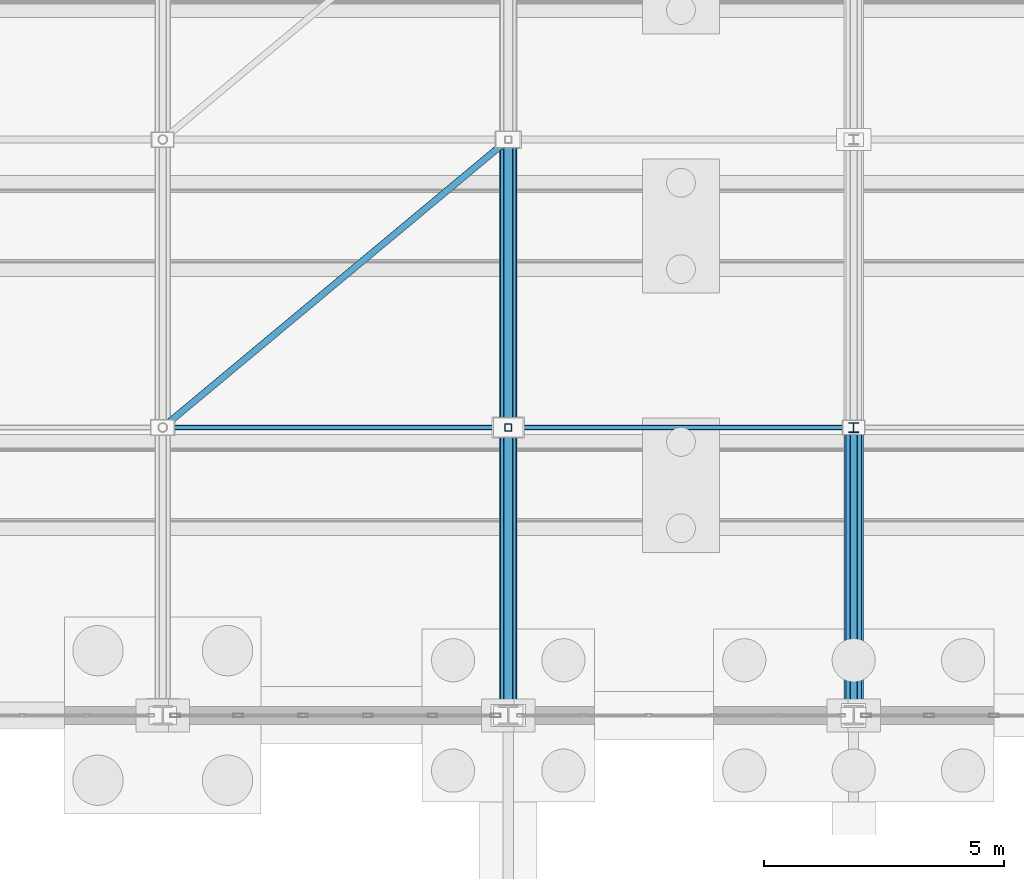
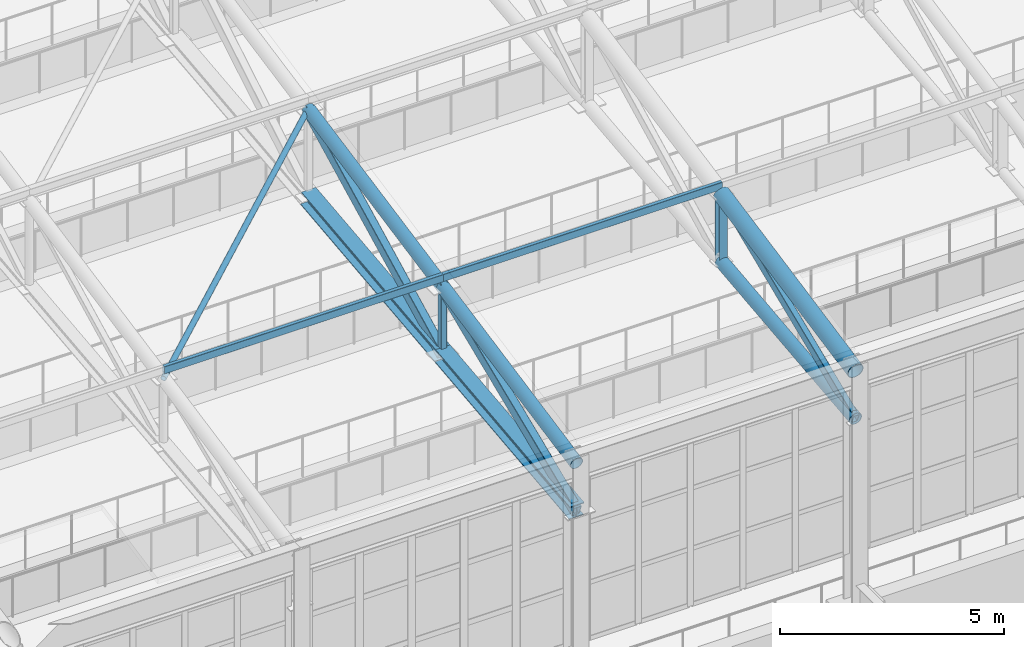
# One storey, part 138 of 293: 14 members.
"""IFC4 building model written with IfcOpenShell, lengths in metres."""

from ifc_helpers import new_model, si_unit, direction, frame, origin, origin_2d, place, context, subcontext, project, spatial, hollow_rectangle, hollow_circle, i_section, extrude, material, material_profile, profile_set, type_object, element, save


model = new_model("IFC4")

# Units and contexts
model_context = context("Model", 3, precision=1e-05, world=origin(), true_north=direction((0.0, 1.0)))
body_context = subcontext(model_context, "Body", "Model", "MODEL_VIEW")
ifc_project = project(units=[si_unit("LENGTHUNIT", "METRE"), si_unit("AREAUNIT", "SQUARE_METRE"), si_unit("VOLUMEUNIT", "CUBIC_METRE"), si_unit("PLANEANGLEUNIT", "RADIAN"), si_unit("MASSUNIT", "GRAM", prefix="KILO")], contexts=[model_context])

# Site, building, storey
site_placement = place(None, origin())
site = spatial("IfcSite", under=ifc_project, at=site_placement, CompositionType="ELEMENT")
building_placement = place(site_placement, origin())
building = spatial("IfcBuilding", under=site, at=building_placement, Name="Kemerveld Promenade Tramway Depot", CompositionType="ELEMENT")
storey_placement = place(building_placement, origin())
storey = spatial("IfcBuildingStorey", under=building, at=storey_placement, Name="L00", CompositionType="ELEMENT", Elevation=0.0)

# Members
ifc_material = material(Name="Steel S355", Category="steel")
ifc_material_profile_1 = material_profile(ifc_material, hollow_rectangle(XDim=0.199951171875, YDim=0.300048828125, WallThickness=0.012451171875, InnerFilletRadius=0.00634765625, OuterFilletRadius=0.018798828125, at=origin_2d()), Name="300x200x12.5 RHS")
ifc_profile_set_1 = profile_set([ifc_material_profile_1], Name="Steel S355")
member_type_1 = type_object("IfcMemberType", Name="MB-M01", PredefinedType="BRACE", material=ifc_profile_set_1)
member_1_placement = place(storey_placement, frame((115.199951171875, 84.0, 9.800048828125), z_axis=(0.0, 0.923076923077, 0.384615384615), x_axis=(-1.0, 0.0, 0.0)))
element("IfcMember", 1, at=member_1_placement, inside=storey, type_object=member_type_1, Name="TR-17-DG-01", PredefinedType="BRACE", context=body_context, shape_type="SweptSolid", body=[
    extrude(hollow_rectangle(XDim=0.199951171875, YDim=0.300048828125, WallThickness=0.012451171875, InnerFilletRadius=0.00634765625, OuterFilletRadius=0.018798828125, at=origin_2d()), origin(), (0.0, 0.0, 1.0), 6.5),
])
member_2_placement = place(storey_placement, frame((115.199951171875, 90.0, 10.4599609375), z_axis=(0.0, 0.892033434612, 0.451969414379), x_axis=(-1.0, 0.0, 0.0)))
element("IfcMember", 2, at=member_2_placement, inside=storey, type_object=member_type_1, Name="TR-17-DG-02", PredefinedType="BRACE", context=body_context, shape_type="SweptSolid", body=[
    extrude(hollow_rectangle(XDim=0.199951171875, YDim=0.300048828125, WallThickness=0.012451171875, InnerFilletRadius=0.00634765625, OuterFilletRadius=0.018798828125, at=origin_2d()), origin(), (0.0, 0.0, 1.0), 6.726318359375),
])
ifc_material_profile_2 = material_profile(ifc_material, hollow_rectangle(XDim=0.14990234375, YDim=0.25, WallThickness=0.010009765625, InnerFilletRadius=0.0048828125, OuterFilletRadius=0.014892578125, at=origin_2d()), Name="250x150x10.0 RHS")
ifc_profile_set_2 = profile_set([ifc_material_profile_2], Name="Steel S355")
member_type_2 = type_object("IfcMemberType", Name="MB-M02", PredefinedType="BRACE", material=ifc_profile_set_2)
member_3_placement = place(storey_placement, frame((122.39990234375, 84.0, 9.800048828125), z_axis=(0.0, 0.923076923077, 0.384615384615), x_axis=(-1.0, 0.0, 0.0)))
element("IfcMember", 3, at=member_3_placement, inside=storey, type_object=member_type_2, Name="TR-18-DG-01", PredefinedType="BRACE", context=body_context, shape_type="SweptSolid", body=[
    extrude(hollow_rectangle(XDim=0.14990234375, YDim=0.25, WallThickness=0.010009765625, InnerFilletRadius=0.0048828125, OuterFilletRadius=0.014892578125, at=origin_2d()), origin(), (0.0, 0.0, 1.0), 6.5),
])
ifc_material_profile_3 = material_profile(ifc_material, i_section(OverallWidth=0.37255859375, OverallDepth=0.3681640625, WebThickness=0.014404296875, FlangeThickness=0.023681640625, FilletRadius=0.01513671875, at=origin_2d()), Name="356x368x177 UC")
ifc_profile_set_3 = profile_set([ifc_material_profile_3], Name="Steel S355")
member_type_3 = type_object("IfcMemberType", Name="MB-M08", PredefinedType="CHORD", material=ifc_profile_set_3)
for number, where, z_axis, x_axis, name in (
    (4, (115.199951171875, 84.0, 9.800048828125), (0.0, 0.994005938353, 0.109326092585), (-1.0, 0.0, 0.0), "TR-17-BC-01"),
    (5, (115.199951171875, 90.0, 10.4599609375), (0.0, 0.994001542248, 0.109366055104), (-1.0, 0.0, 0.0), "TR-17-BC-02"),
):
    element("IfcMember", number, at=place(storey_placement, frame(where, z_axis=z_axis, x_axis=x_axis)), inside=storey, type_object=member_type_3, Name=name, PredefinedType="CHORD", context=body_context, shape_type="SweptSolid", body=[
        extrude(i_section(OverallWidth=0.37255859375, OverallDepth=0.3681640625, WebThickness=0.014404296875, FlangeThickness=0.023681640625, FilletRadius=0.01513671875, at=origin_2d()), origin(), (0.0, 0.0, 1.0), 6.0361328125),
    ])
ifc_material_profile_4 = material_profile(ifc_material, hollow_rectangle(XDim=0.10009765625, YDim=0.199951171875, WallThickness=0.008056640625, InnerFilletRadius=0.00390625, OuterFilletRadius=0.011962890625, at=origin_2d()), Name="200x100x8.0 RHS")
ifc_profile_set_4 = profile_set([ifc_material_profile_4], Name="Steel S355")
member_type_4 = type_object("IfcMemberType", Name="MB-PR2", PredefinedType="PURLIN", material=ifc_profile_set_4)
for number, where, z_axis, x_axis, name in (
    (6, (108.0, 90.0, 12.544921875), (1.0, 0.0, 0.0), (0.0, 1.0, 0.0), "PUR-V1-01-16"),
    (7, (115.199951171875, 90.0, 12.544921875), (1.0, 0.0, 0.0), (0.0, 1.0, 0.0), "PUR-V1-01-17"),
):
    element("IfcMember", number, at=place(storey_placement, frame(where, z_axis=z_axis, x_axis=x_axis)), inside=storey, type_object=member_type_4, Name=name, PredefinedType="PURLIN", context=body_context, shape_type="SweptSolid", body=[
        extrude(hollow_rectangle(XDim=0.10009765625, YDim=0.199951171875, WallThickness=0.008056640625, InnerFilletRadius=0.00390625, OuterFilletRadius=0.011962890625, at=origin_2d()), origin(), (0.0, 0.0, 1.0), 7.199951171875),
    ])
ifc_material_profile_5 = material_profile(ifc_material, hollow_circle(Radius=0.06982421875, WallThickness=0.00634765625, at=origin_2d()), Name="139.7x6.3 CHS")
ifc_profile_set_5 = profile_set([ifc_material_profile_5], Name="Steel S355")
member_type_5 = type_object("IfcMemberType", Name="MB-TB3", PredefinedType="BRACE", material=ifc_profile_set_5)
member_4_placement = place(storey_placement, frame((108.0, 90.0, 12.300048828125), z_axis=(0.761999094998, 0.635003552225, 0.126995542773), x_axis=(-0.640186961885, 0.768219144407, 0.0)))
element("IfcMember", 8, at=member_4_placement, inside=storey, type_object=member_type_5, Name="RBR-V1-01-16", PredefinedType="BRACE", context=body_context, shape_type="SweptSolid", body=[
    extrude(hollow_circle(Radius=0.06982421875, WallThickness=0.00634765625, at=origin_2d()), origin(), (0.0, 0.0, 1.0), 9.44873046875),
])
ifc_material_profile_6 = material_profile(ifc_material, hollow_circle(Radius=0.203125, WallThickness=0.01611328125, at=origin_2d()), Name="406.4x16.0 CHS")
ifc_profile_set_6 = profile_set([ifc_material_profile_6], Name="Steel S355")
member_type_6 = type_object("IfcMemberType", Name="MB-TC1", PredefinedType="CHORD", material=ifc_profile_set_6)
member_5_placement = place(storey_placement, frame((122.39990234375, 84.0, 11.10009765625), z_axis=(0.0, 0.980582210276, 0.196108462057), x_axis=(-1.0, 0.0, 0.0)))
element("IfcMember", 9, at=member_5_placement, inside=storey, type_object=member_type_6, Name="TR-18-TC-01", PredefinedType="CHORD", context=body_context, shape_type="SweptSolid", body=[
    extrude(hollow_circle(Radius=0.203125, WallThickness=0.01611328125, at=origin_2d()), origin(), (0.0, 0.0, 1.0), 6.118896484375),
])
ifc_material_profile_7 = material_profile(ifc_material, hollow_circle(Radius=0.161865234375, WallThickness=0.012451171875, at=origin_2d()), Name="323.9x12.5 CHS")
ifc_profile_set_7 = profile_set([ifc_material_profile_7], Name="Steel S355")
member_type_7 = type_object("IfcMemberType", Name="MB-TC2", PredefinedType="CHORD", material=ifc_profile_set_7)
for number, where, z_axis, x_axis, name in (
    (10, (115.199951171875, 84.0, 11.10009765625), (0.0, 0.980582210276, 0.196108462057), (-1.0, 0.0, 0.0), "TR-17-TC-01"),
    (11, (115.199951171875, 90.0, 12.300048828125), (0.0, 0.980582210276, 0.196108462057), (-1.0, 0.0, 0.0), "TR-17-TC-02"),
):
    element("IfcMember", number, at=place(storey_placement, frame(where, z_axis=z_axis, x_axis=x_axis)), inside=storey, type_object=member_type_7, Name=name, PredefinedType="CHORD", context=body_context, shape_type="SweptSolid", body=[
        extrude(hollow_circle(Radius=0.161865234375, WallThickness=0.012451171875, at=origin_2d()), origin(), (0.0, 0.0, 1.0), 6.118896484375),
    ])
member_6_placement = place(storey_placement, frame((122.39990234375, 84.0, 9.800048828125), z_axis=(0.0, 0.994005938353, 0.109326092585), x_axis=(-1.0, 0.0, 0.0)))
element("IfcMember", 12, at=member_6_placement, inside=storey, type_object=member_type_7, Name="TR-18-BC-01", PredefinedType="CHORD", context=body_context, shape_type="SweptSolid", body=[
    extrude(hollow_circle(Radius=0.161865234375, WallThickness=0.012451171875, at=origin_2d()), origin(), (0.0, 0.0, 1.0), 6.0361328125),
])
ifc_material_profile_8 = material_profile(ifc_material, hollow_rectangle(XDim=0.14990234375, YDim=0.14990234375, WallThickness=0.008056640625, InnerFilletRadius=0.00390625, OuterFilletRadius=0.011962890625, at=origin_2d()), Name="150x150x8.0 SHS")
ifc_profile_set_8 = profile_set([ifc_material_profile_8], Name="Steel S355")
member_type_8 = type_object("IfcMemberType", Name="MB-TP2", PredefinedType="POST", material=ifc_profile_set_8)
member_7_placement = place(storey_placement, frame((115.199951171875, 90.0, 10.4599609375), z_axis=(0.0, 0.0, 1.0), x_axis=(1.0, 0.0, 0.0)))
element("IfcMember", 13, at=member_7_placement, inside=storey, type_object=member_type_8, Name="TR-17-VT-01", PredefinedType="POST", context=body_context, shape_type="SweptSolid", body=[
    extrude(hollow_rectangle(XDim=0.14990234375, YDim=0.14990234375, WallThickness=0.008056640625, InnerFilletRadius=0.00390625, OuterFilletRadius=0.011962890625, at=origin_2d()), origin(), (0.0, 0.0, 1.0), 1.840087890625),
])
ifc_material_profile_9 = material_profile(ifc_material, i_section(OverallWidth=0.205810546875, OverallDepth=0.209716796875, WebThickness=0.009521484375, FlangeThickness=0.01416015625, FilletRadius=0.01025390625, at=origin_2d()), Name="203x203x60 UC")
ifc_profile_set_9 = profile_set([ifc_material_profile_9], Name="Steel S355")
member_type_9 = type_object("IfcMemberType", Name="MB-TP3", PredefinedType="POST", material=ifc_profile_set_9)
member_8_placement = place(storey_placement, frame((122.39990234375, 90.0, 10.4599609375), z_axis=(0.0, 0.0, 1.0), x_axis=(1.0, 0.0, 0.0)))
element("IfcMember", 14, at=member_8_placement, inside=storey, type_object=member_type_9, Name="TR-18-VT-01", PredefinedType="POST", context=body_context, shape_type="SweptSolid", body=[
    extrude(i_section(OverallWidth=0.205810546875, OverallDepth=0.209716796875, WebThickness=0.009521484375, FlangeThickness=0.01416015625, FilletRadius=0.01025390625, at=origin_2d()), origin(), (0.0, 0.0, 1.0), 1.840087890625),
])

save(model, "model.ifc")
